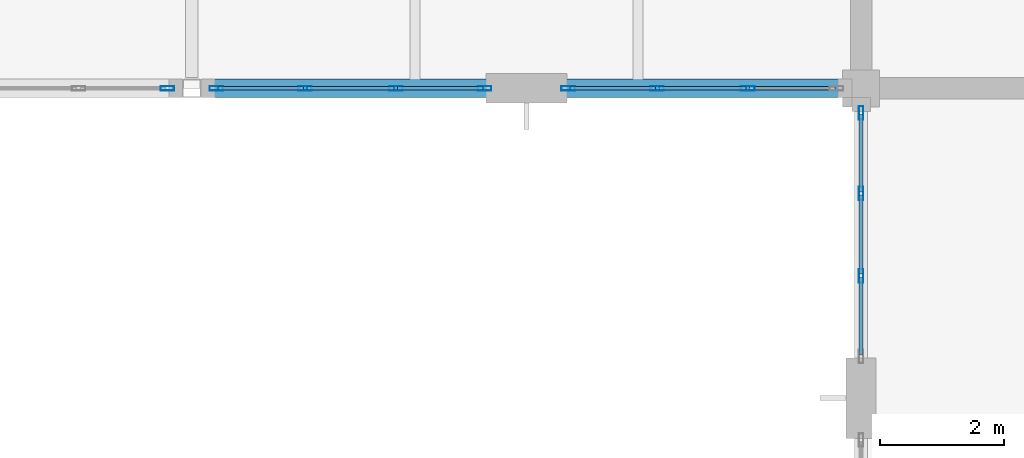
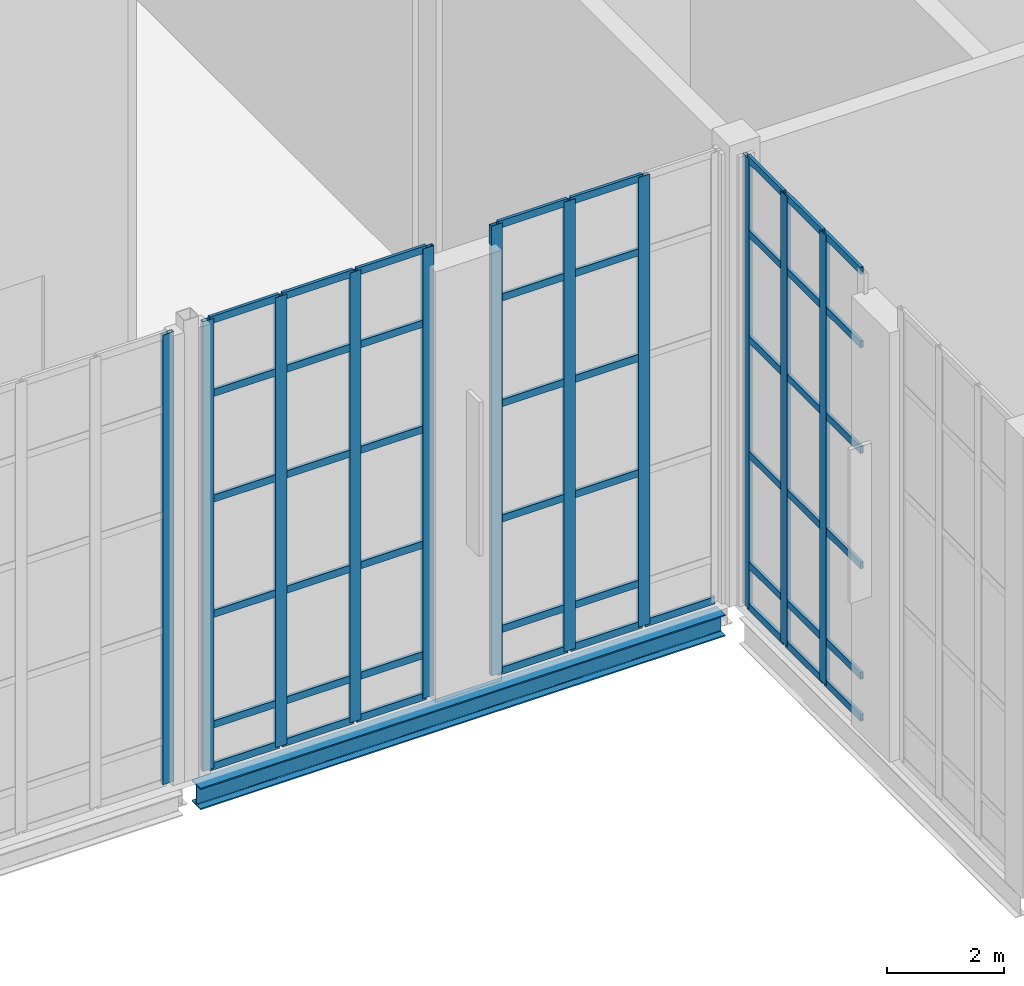
# One storey, part 37 of 100: 60 members, 1 beam, 4 elements without a shape of their own.
"""IFC4 building model written with IfcOpenShell, lengths in metres."""

from ifc_helpers import new_model, si_unit, direction, frame, origin, origin_2d, place, context, subcontext, project, spatial, hollow_rectangle, i_section, extrude, material, layer, layer_set, material_profile, profile_set, type_object, element, aggregate, save


model = new_model("IFC4")

# Units and contexts
model_context = context("Model", 3, precision=1e-05, world=origin(), true_north=direction((0.0, 1.0)))
body_context = subcontext(model_context, "Body", "Model", "MODEL_VIEW")
ifc_project = project(units=[si_unit("LENGTHUNIT", "METRE"), si_unit("AREAUNIT", "SQUARE_METRE"), si_unit("VOLUMEUNIT", "CUBIC_METRE"), si_unit("PLANEANGLEUNIT", "RADIAN"), si_unit("MASSUNIT", "GRAM", prefix="KILO")], contexts=[model_context])

# Site, building, storey
site_placement = place(None, origin())
site = spatial("IfcSite", under=ifc_project, at=site_placement, CompositionType="ELEMENT")
building_placement = place(site_placement, origin())
building = spatial("IfcBuilding", under=site, at=building_placement, Name="Tasgan Crest Museum", CompositionType="ELEMENT")
storey_placement = place(building_placement, frame((0.0, 0.0, 14.39990234375)))
storey = spatial("IfcBuildingStorey", under=building, at=storey_placement, Name="L03", CompositionType="ELEMENT", Elevation=14.39990234375)

# Beam
ifc_material_1 = material(Name="Steel S355J2", Category="steel")
ifc_material_profile_1 = material_profile(ifc_material_1, i_section(OverallWidth=0.300048828125, OverallDepth=0.449951171875, WebThickness=0.013916015625, FlangeThickness=0.02587890625, FilletRadius=0.027099609375, at=origin_2d()), Name="HEB 450")
ifc_profile_set_1 = profile_set([ifc_material_profile_1], Name="Steel S355J2")
beam_type = type_object("IfcBeamType", Name="BM-G-HEB450", PredefinedType="BEAM", material=ifc_profile_set_1)
beam_placement = place(storey_placement, frame((97.373779296875, 40.0, -0.46484375), z_axis=(1.0, 0.0, 0.0), x_axis=(0.0, 1.0, 0.0)))
element("IfcBeam", 1, at=beam_placement, inside=storey, type_object=beam_type, Name="Girder L03 E 97.2-108.0", PredefinedType="BEAM", context=body_context, shape_type="SweptSolid", body=[
    extrude(i_section(OverallWidth=0.300048828125, OverallDepth=0.449951171875, WebThickness=0.013916015625, FlangeThickness=0.02587890625, FilletRadius=0.027099609375, at=origin_2d()), origin(), (0.0, 0.0, 1.0), 10.330322265625),
])

# Curtain wall, members
ifc_material_2 = material(Name="Triple-Glazed Aluminium Curtain Wall", Category="aluminium")
ifc_layer_1 = layer(ifc_material_2, 0.179931640625, Name="CW-GAL-Y-96")
ifc_layer_set_1 = layer_set([ifc_layer_1], Name="Triple-Glazed Aluminium Curtain Wall")
curtain_wall_type_1 = type_object("IfcCurtainWallType", Name="CW-GAL-Y-96", PredefinedType="NOTDEFINED", material=ifc_layer_set_1)
curtain_wall_1_placement = place(storey_placement, origin())
curtain_wall_1 = element("IfcCurtainWall", 2, at=curtain_wall_1_placement, inside=storey, type_object=curtain_wall_type_1, Name="Curtain wall L03 111", PredefinedType="NOTDEFINED")
ifc_material_3 = material(Name="Anodised Aluminium", Category="aluminium")
ifc_material_profile_2 = material_profile(ifc_material_3, hollow_rectangle(XDim=0.074951171875, YDim=0.219970703125, WallThickness=0.006103515625, at=origin_2d()), Name="ALU MULLION 220x75x6")
ifc_profile_set_2 = profile_set([ifc_material_profile_2], Name="Anodised Aluminium")
member_type_1 = type_object("IfcMemberType", Name="CW-MULLION-220", PredefinedType="MULLION", material=ifc_profile_set_2)
member_1_placement = place(storey_placement, frame((108.0, 39.60498046875, 0.0), z_axis=(0.0, 0.0, 1.0), x_axis=(1.0, 0.0, 0.0)))
member_1 = element("IfcMember", 3, at=member_1_placement, type_object=member_type_1, Name="CW17 mullion 1", PredefinedType="MULLION", context=body_context, shape_type="SweptSolid", body=[
    extrude(hollow_rectangle(XDim=0.074951171875, YDim=0.219970703125, WallThickness=0.006103515625, at=origin_2d()), origin(), (0.0, 0.0, 1.0), 9.360107421875),
])
member_2_placement = place(storey_placement, frame((108.0, 38.304931640625, 0.0), z_axis=(0.0, 0.0, 1.0), x_axis=(1.0, 0.0, 0.0)))
member_2 = element("IfcMember", 4, at=member_2_placement, type_object=member_type_1, Name="CW17 mullion 2", PredefinedType="MULLION", context=body_context, shape_type="SweptSolid", body=[
    extrude(hollow_rectangle(XDim=0.074951171875, YDim=0.219970703125, WallThickness=0.006103515625, at=origin_2d()), origin(), (0.0, 0.0, 1.0), 9.360107421875),
])
member_3_placement = place(storey_placement, frame((108.0, 36.97509765625, 0.0), z_axis=(0.0, 0.0, 1.0), x_axis=(1.0, 0.0, 0.0)))
member_3 = element("IfcMember", 5, at=member_3_placement, type_object=member_type_1, Name="CW17 mullion 3", PredefinedType="MULLION", context=body_context, shape_type="SweptSolid", body=[
    extrude(hollow_rectangle(XDim=0.074951171875, YDim=0.219970703125, WallThickness=0.006103515625, at=origin_2d()), origin(), (0.0, 0.0, 1.0), 9.360107421875),
])

# Curtain wall, member
ifc_material_4 = material(Name="Triple-Glazed Aluminium Curtain Wall", Category="aluminium")
ifc_layer_2 = layer(ifc_material_4, 0.179931640625, Name="CW-DRUM-X-96")
ifc_layer_set_2 = layer_set([ifc_layer_2], Name="Triple-Glazed Aluminium Curtain Wall")
curtain_wall_type_2 = type_object("IfcCurtainWallType", Name="CW-DRUM-X-96", PredefinedType="NOTDEFINED", material=ifc_layer_set_2)
curtain_wall_2_placement = place(storey_placement, origin())
curtain_wall_2 = element("IfcCurtainWall", 6, at=curtain_wall_2_placement, inside=storey, type_object=curtain_wall_type_2, Name="Curtain wall L03 152", PredefinedType="NOTDEFINED")
member_4_placement = place(storey_placement, frame((96.804931640625, 40.0, 0.0), z_axis=(0.0, 0.0, 1.0), x_axis=(0.0, 1.0, 0.0)))
member_4 = element("IfcMember", 7, at=member_4_placement, type_object=member_type_1, Name="CW06 mullion 4", PredefinedType="MULLION", context=body_context, shape_type="SweptSolid", body=[
    extrude(hollow_rectangle(XDim=0.074951171875, YDim=0.219970703125, WallThickness=0.006103515625, at=origin_2d()), origin(), (0.0, 0.0, 1.0), 9.360107421875),
])
aggregate(curtain_wall_2, [member_4])

# Curtain wall, members
curtain_wall_3_placement = place(storey_placement, origin())
curtain_wall_3 = element("IfcCurtainWall", 8, at=curtain_wall_3_placement, inside=storey, type_object=curtain_wall_type_2, Name="Curtain wall L03 153", PredefinedType="NOTDEFINED")
member_5_placement = place(storey_placement, frame((97.594970703125, 40.0, 0.0), z_axis=(0.0, 0.0, 1.0), x_axis=(0.0, 1.0, 0.0)))
member_5 = element("IfcMember", 9, at=member_5_placement, type_object=member_type_1, Name="CW06 mullion 1", PredefinedType="MULLION", context=body_context, shape_type="SweptSolid", body=[
    extrude(hollow_rectangle(XDim=0.074951171875, YDim=0.219970703125, WallThickness=0.006103515625, at=origin_2d()), origin(), (0.0, 0.0, 1.0), 9.360107421875),
])
member_6_placement = place(storey_placement, frame((99.0283203125, 40.0, 0.0), z_axis=(0.0, 0.0, 1.0), x_axis=(0.0, 1.0, 0.0)))
member_6 = element("IfcMember", 10, at=member_6_placement, type_object=member_type_1, Name="CW06 mullion 2", PredefinedType="MULLION", context=body_context, shape_type="SweptSolid", body=[
    extrude(hollow_rectangle(XDim=0.074951171875, YDim=0.219970703125, WallThickness=0.006103515625, at=origin_2d()), origin(), (0.0, 0.0, 1.0), 9.360107421875),
])
member_7_placement = place(storey_placement, frame((100.49169921875, 40.0, 0.0), z_axis=(0.0, 0.0, 1.0), x_axis=(0.0, 1.0, 0.0)))
member_7 = element("IfcMember", 11, at=member_7_placement, type_object=member_type_1, Name="CW06 mullion 3", PredefinedType="MULLION", context=body_context, shape_type="SweptSolid", body=[
    extrude(hollow_rectangle(XDim=0.074951171875, YDim=0.219970703125, WallThickness=0.006103515625, at=origin_2d()), origin(), (0.0, 0.0, 1.0), 9.360107421875),
])
member_8_placement = place(storey_placement, frame((101.925048828125, 40.0, 0.0), z_axis=(0.0, 0.0, 1.0), x_axis=(0.0, 1.0, 0.0)))
member_8 = element("IfcMember", 12, at=member_8_placement, type_object=member_type_1, Name="CW06 mullion 4", PredefinedType="MULLION", context=body_context, shape_type="SweptSolid", body=[
    extrude(hollow_rectangle(XDim=0.074951171875, YDim=0.219970703125, WallThickness=0.006103515625, at=origin_2d()), origin(), (0.0, 0.0, 1.0), 9.360107421875),
])

curtain_wall_4_placement = place(storey_placement, origin())
curtain_wall_4 = element("IfcCurtainWall", 13, at=curtain_wall_4_placement, inside=storey, type_object=curtain_wall_type_2, Name="Curtain wall L03 154", PredefinedType="NOTDEFINED")
member_9_placement = place(storey_placement, frame((103.27490234375, 40.0, 0.0), z_axis=(0.0, 0.0, 1.0), x_axis=(0.0, 1.0, 0.0)))
member_9 = element("IfcMember", 14, at=member_9_placement, type_object=member_type_1, Name="CW06 mullion 1", PredefinedType="MULLION", context=body_context, shape_type="SweptSolid", body=[
    extrude(hollow_rectangle(XDim=0.074951171875, YDim=0.219970703125, WallThickness=0.006103515625, at=origin_2d()), origin(), (0.0, 0.0, 1.0), 9.360107421875),
])
member_10_placement = place(storey_placement, frame((104.708251953125, 40.0, 0.0), z_axis=(0.0, 0.0, 1.0), x_axis=(0.0, 1.0, 0.0)))
member_10 = element("IfcMember", 15, at=member_10_placement, type_object=member_type_1, Name="CW06 mullion 2", PredefinedType="MULLION", context=body_context, shape_type="SweptSolid", body=[
    extrude(hollow_rectangle(XDim=0.074951171875, YDim=0.219970703125, WallThickness=0.006103515625, at=origin_2d()), origin(), (0.0, 0.0, 1.0), 9.360107421875),
])
member_11_placement = place(storey_placement, frame((106.171630859375, 40.0, 0.0), z_axis=(0.0, 0.0, 1.0), x_axis=(0.0, 1.0, 0.0)))
member_11 = element("IfcMember", 16, at=member_11_placement, type_object=member_type_1, Name="CW06 mullion 3", PredefinedType="MULLION", context=body_context, shape_type="SweptSolid", body=[
    extrude(hollow_rectangle(XDim=0.074951171875, YDim=0.219970703125, WallThickness=0.006103515625, at=origin_2d()), origin(), (0.0, 0.0, 1.0), 9.360107421875),
])

# Member
ifc_material_5 = material(Name="Anodised Aluminium", Category="aluminium")
ifc_material_profile_3 = material_profile(ifc_material_5, hollow_rectangle(XDim=0.06005859375, YDim=0.14990234375, WallThickness=0.0048828125, at=origin_2d()), Name="ALU TRANSOM 150x60x5")
ifc_profile_set_3 = profile_set([ifc_material_profile_3], Name="Anodised Aluminium")
member_type_2 = type_object("IfcMemberType", Name="CW-TRANSOM-150", PredefinedType="USERDEFINED", material=ifc_profile_set_3)
member_12_placement = place(storey_placement, frame((108.0, 39.574951171875, 0.030029296875), z_axis=(0.0, -1.0, 0.0), x_axis=(1.0, 0.0, 0.0)))
member_12 = element("IfcMember", 17, at=member_12_placement, type_object=member_type_2, Name="CW17 transom 1.1", ObjectType="TRANSOM", PredefinedType="USERDEFINED", context=body_context, shape_type="SweptSolid", body=[
    extrude(hollow_rectangle(XDim=0.06005859375, YDim=0.14990234375, WallThickness=0.0048828125, at=origin_2d()), origin(), (0.0, 0.0, 1.0), 1.239990234375),
])

member_13_placement = place(storey_placement, frame((108.0, 39.574951171875, 0.900146484375), z_axis=(0.0, -1.0, 0.0), x_axis=(1.0, 0.0, 0.0)))
member_13 = element("IfcMember", 18, at=member_13_placement, type_object=member_type_2, Name="CW17 transom 1.2", ObjectType="TRANSOM", PredefinedType="USERDEFINED", context=body_context, shape_type="SweptSolid", body=[
    extrude(hollow_rectangle(XDim=0.06005859375, YDim=0.14990234375, WallThickness=0.0048828125, at=origin_2d()), origin(), (0.0, 0.0, 1.0), 1.239990234375),
])

member_14_placement = place(storey_placement, frame((108.0, 39.574951171875, 3.2001953125), z_axis=(0.0, -1.0, 0.0), x_axis=(1.0, 0.0, 0.0)))
member_14 = element("IfcMember", 19, at=member_14_placement, type_object=member_type_2, Name="CW17 transom 1.3", ObjectType="TRANSOM", PredefinedType="USERDEFINED", context=body_context, shape_type="SweptSolid", body=[
    extrude(hollow_rectangle(XDim=0.06005859375, YDim=0.14990234375, WallThickness=0.0048828125, at=origin_2d()), origin(), (0.0, 0.0, 1.0), 1.239990234375),
])

member_15_placement = place(storey_placement, frame((108.0, 39.574951171875, 5.60009765625), z_axis=(0.0, -1.0, 0.0), x_axis=(1.0, 0.0, 0.0)))
member_15 = element("IfcMember", 20, at=member_15_placement, type_object=member_type_2, Name="CW17 transom 1.4", ObjectType="TRANSOM", PredefinedType="USERDEFINED", context=body_context, shape_type="SweptSolid", body=[
    extrude(hollow_rectangle(XDim=0.06005859375, YDim=0.14990234375, WallThickness=0.0048828125, at=origin_2d()), origin(), (0.0, 0.0, 1.0), 1.239990234375),
])

member_16_placement = place(storey_placement, frame((108.0, 39.574951171875, 7.800048828125), z_axis=(0.0, -1.0, 0.0), x_axis=(1.0, 0.0, 0.0)))
member_16 = element("IfcMember", 21, at=member_16_placement, type_object=member_type_2, Name="CW17 transom 1.5", ObjectType="TRANSOM", PredefinedType="USERDEFINED", context=body_context, shape_type="SweptSolid", body=[
    extrude(hollow_rectangle(XDim=0.06005859375, YDim=0.14990234375, WallThickness=0.0048828125, at=origin_2d()), origin(), (0.0, 0.0, 1.0), 1.239990234375),
])

member_17_placement = place(storey_placement, frame((108.0, 39.574951171875, 9.330078125), z_axis=(0.0, -1.0, 0.0), x_axis=(1.0, 0.0, 0.0)))
member_17 = element("IfcMember", 22, at=member_17_placement, type_object=member_type_2, Name="CW17 transom 1.6", ObjectType="TRANSOM", PredefinedType="USERDEFINED", context=body_context, shape_type="SweptSolid", body=[
    extrude(hollow_rectangle(XDim=0.06005859375, YDim=0.14990234375, WallThickness=0.0048828125, at=origin_2d()), origin(), (0.0, 0.0, 1.0), 1.239990234375),
])

member_18_placement = place(storey_placement, frame((108.0, 38.27490234375, 0.030029296875), z_axis=(0.0, -1.0, 0.0), x_axis=(1.0, 0.0, 0.0)))
member_18 = element("IfcMember", 23, at=member_18_placement, type_object=member_type_2, Name="CW17 transom 2.1", ObjectType="TRANSOM", PredefinedType="USERDEFINED", context=body_context, shape_type="SweptSolid", body=[
    extrude(hollow_rectangle(XDim=0.06005859375, YDim=0.14990234375, WallThickness=0.0048828125, at=origin_2d()), origin(), (0.0, 0.0, 1.0), 1.27001953125),
])

member_19_placement = place(storey_placement, frame((108.0, 38.27490234375, 0.900146484375), z_axis=(0.0, -1.0, 0.0), x_axis=(1.0, 0.0, 0.0)))
member_19 = element("IfcMember", 24, at=member_19_placement, type_object=member_type_2, Name="CW17 transom 2.2", ObjectType="TRANSOM", PredefinedType="USERDEFINED", context=body_context, shape_type="SweptSolid", body=[
    extrude(hollow_rectangle(XDim=0.06005859375, YDim=0.14990234375, WallThickness=0.0048828125, at=origin_2d()), origin(), (0.0, 0.0, 1.0), 1.27001953125),
])

member_20_placement = place(storey_placement, frame((108.0, 38.27490234375, 3.2001953125), z_axis=(0.0, -1.0, 0.0), x_axis=(1.0, 0.0, 0.0)))
member_20 = element("IfcMember", 25, at=member_20_placement, type_object=member_type_2, Name="CW17 transom 2.3", ObjectType="TRANSOM", PredefinedType="USERDEFINED", context=body_context, shape_type="SweptSolid", body=[
    extrude(hollow_rectangle(XDim=0.06005859375, YDim=0.14990234375, WallThickness=0.0048828125, at=origin_2d()), origin(), (0.0, 0.0, 1.0), 1.27001953125),
])

member_21_placement = place(storey_placement, frame((108.0, 38.27490234375, 5.60009765625), z_axis=(0.0, -1.0, 0.0), x_axis=(1.0, 0.0, 0.0)))
member_21 = element("IfcMember", 26, at=member_21_placement, type_object=member_type_2, Name="CW17 transom 2.4", ObjectType="TRANSOM", PredefinedType="USERDEFINED", context=body_context, shape_type="SweptSolid", body=[
    extrude(hollow_rectangle(XDim=0.06005859375, YDim=0.14990234375, WallThickness=0.0048828125, at=origin_2d()), origin(), (0.0, 0.0, 1.0), 1.27001953125),
])

member_22_placement = place(storey_placement, frame((108.0, 38.27490234375, 7.800048828125), z_axis=(0.0, -1.0, 0.0), x_axis=(1.0, 0.0, 0.0)))
member_22 = element("IfcMember", 27, at=member_22_placement, type_object=member_type_2, Name="CW17 transom 2.5", ObjectType="TRANSOM", PredefinedType="USERDEFINED", context=body_context, shape_type="SweptSolid", body=[
    extrude(hollow_rectangle(XDim=0.06005859375, YDim=0.14990234375, WallThickness=0.0048828125, at=origin_2d()), origin(), (0.0, 0.0, 1.0), 1.27001953125),
])

member_23_placement = place(storey_placement, frame((108.0, 38.27490234375, 9.330078125), z_axis=(0.0, -1.0, 0.0), x_axis=(1.0, 0.0, 0.0)))
member_23 = element("IfcMember", 28, at=member_23_placement, type_object=member_type_2, Name="CW17 transom 2.6", ObjectType="TRANSOM", PredefinedType="USERDEFINED", context=body_context, shape_type="SweptSolid", body=[
    extrude(hollow_rectangle(XDim=0.06005859375, YDim=0.14990234375, WallThickness=0.0048828125, at=origin_2d()), origin(), (0.0, 0.0, 1.0), 1.27001953125),
])

member_24_placement = place(storey_placement, frame((108.0, 36.945068359375, 0.030029296875), z_axis=(0.0, -1.0, 0.0), x_axis=(1.0, 0.0, 0.0)))
member_24 = element("IfcMember", 29, at=member_24_placement, type_object=member_type_2, Name="CW17 transom 3.1", ObjectType="TRANSOM", PredefinedType="USERDEFINED", context=body_context, shape_type="SweptSolid", body=[
    extrude(hollow_rectangle(XDim=0.06005859375, YDim=0.14990234375, WallThickness=0.0048828125, at=origin_2d()), origin(), (0.0, 0.0, 1.0), 1.239990234375),
])

member_25_placement = place(storey_placement, frame((108.0, 36.945068359375, 0.900146484375), z_axis=(0.0, -1.0, 0.0), x_axis=(1.0, 0.0, 0.0)))
member_25 = element("IfcMember", 30, at=member_25_placement, type_object=member_type_2, Name="CW17 transom 3.2", ObjectType="TRANSOM", PredefinedType="USERDEFINED", context=body_context, shape_type="SweptSolid", body=[
    extrude(hollow_rectangle(XDim=0.06005859375, YDim=0.14990234375, WallThickness=0.0048828125, at=origin_2d()), origin(), (0.0, 0.0, 1.0), 1.239990234375),
])

member_26_placement = place(storey_placement, frame((108.0, 36.945068359375, 3.2001953125), z_axis=(0.0, -1.0, 0.0), x_axis=(1.0, 0.0, 0.0)))
member_26 = element("IfcMember", 31, at=member_26_placement, type_object=member_type_2, Name="CW17 transom 3.3", ObjectType="TRANSOM", PredefinedType="USERDEFINED", context=body_context, shape_type="SweptSolid", body=[
    extrude(hollow_rectangle(XDim=0.06005859375, YDim=0.14990234375, WallThickness=0.0048828125, at=origin_2d()), origin(), (0.0, 0.0, 1.0), 1.239990234375),
])

member_27_placement = place(storey_placement, frame((108.0, 36.945068359375, 5.60009765625), z_axis=(0.0, -1.0, 0.0), x_axis=(1.0, 0.0, 0.0)))
member_27 = element("IfcMember", 32, at=member_27_placement, type_object=member_type_2, Name="CW17 transom 3.4", ObjectType="TRANSOM", PredefinedType="USERDEFINED", context=body_context, shape_type="SweptSolid", body=[
    extrude(hollow_rectangle(XDim=0.06005859375, YDim=0.14990234375, WallThickness=0.0048828125, at=origin_2d()), origin(), (0.0, 0.0, 1.0), 1.239990234375),
])

member_28_placement = place(storey_placement, frame((108.0, 36.945068359375, 7.800048828125), z_axis=(0.0, -1.0, 0.0), x_axis=(1.0, 0.0, 0.0)))
member_28 = element("IfcMember", 33, at=member_28_placement, type_object=member_type_2, Name="CW17 transom 3.5", ObjectType="TRANSOM", PredefinedType="USERDEFINED", context=body_context, shape_type="SweptSolid", body=[
    extrude(hollow_rectangle(XDim=0.06005859375, YDim=0.14990234375, WallThickness=0.0048828125, at=origin_2d()), origin(), (0.0, 0.0, 1.0), 1.239990234375),
])

member_29_placement = place(storey_placement, frame((108.0, 36.945068359375, 9.330078125), z_axis=(0.0, -1.0, 0.0), x_axis=(1.0, 0.0, 0.0)))
member_29 = element("IfcMember", 34, at=member_29_placement, type_object=member_type_2, Name="CW17 transom 3.6", ObjectType="TRANSOM", PredefinedType="USERDEFINED", context=body_context, shape_type="SweptSolid", body=[
    extrude(hollow_rectangle(XDim=0.06005859375, YDim=0.14990234375, WallThickness=0.0048828125, at=origin_2d()), origin(), (0.0, 0.0, 1.0), 1.239990234375),
])

aggregate(curtain_wall_1, [member_1, member_2, member_3, member_12, member_13, member_14, member_15, member_16, member_17, member_18, member_19, member_20, member_21, member_22, member_23, member_24, member_25, member_26, member_27, member_28, member_29])

member_30_placement = place(storey_placement, frame((97.625, 40.0, 0.030029296875), z_axis=(1.0, 0.0, 0.0), x_axis=(0.0, 1.0, 0.0)))
member_30 = element("IfcMember", 35, at=member_30_placement, type_object=member_type_2, Name="CW06 transom 1.1", ObjectType="TRANSOM", PredefinedType="USERDEFINED", context=body_context, shape_type="SweptSolid", body=[
    extrude(hollow_rectangle(XDim=0.06005859375, YDim=0.14990234375, WallThickness=0.0048828125, at=origin_2d()), origin(), (0.0, 0.0, 1.0), 1.373291015625),
])

member_31_placement = place(storey_placement, frame((97.625, 40.0, 0.900146484375), z_axis=(1.0, 0.0, 0.0), x_axis=(0.0, 1.0, 0.0)))
member_31 = element("IfcMember", 36, at=member_31_placement, type_object=member_type_2, Name="CW06 transom 1.2", ObjectType="TRANSOM", PredefinedType="USERDEFINED", context=body_context, shape_type="SweptSolid", body=[
    extrude(hollow_rectangle(XDim=0.06005859375, YDim=0.14990234375, WallThickness=0.0048828125, at=origin_2d()), origin(), (0.0, 0.0, 1.0), 1.373291015625),
])

member_32_placement = place(storey_placement, frame((97.625, 40.0, 3.2001953125), z_axis=(1.0, 0.0, 0.0), x_axis=(0.0, 1.0, 0.0)))
member_32 = element("IfcMember", 37, at=member_32_placement, type_object=member_type_2, Name="CW06 transom 1.3", ObjectType="TRANSOM", PredefinedType="USERDEFINED", context=body_context, shape_type="SweptSolid", body=[
    extrude(hollow_rectangle(XDim=0.06005859375, YDim=0.14990234375, WallThickness=0.0048828125, at=origin_2d()), origin(), (0.0, 0.0, 1.0), 1.373291015625),
])

member_33_placement = place(storey_placement, frame((97.625, 40.0, 5.60009765625), z_axis=(1.0, 0.0, 0.0), x_axis=(0.0, 1.0, 0.0)))
member_33 = element("IfcMember", 38, at=member_33_placement, type_object=member_type_2, Name="CW06 transom 1.4", ObjectType="TRANSOM", PredefinedType="USERDEFINED", context=body_context, shape_type="SweptSolid", body=[
    extrude(hollow_rectangle(XDim=0.06005859375, YDim=0.14990234375, WallThickness=0.0048828125, at=origin_2d()), origin(), (0.0, 0.0, 1.0), 1.373291015625),
])

member_34_placement = place(storey_placement, frame((97.625, 40.0, 7.800048828125), z_axis=(1.0, 0.0, 0.0), x_axis=(0.0, 1.0, 0.0)))
member_34 = element("IfcMember", 39, at=member_34_placement, type_object=member_type_2, Name="CW06 transom 1.5", ObjectType="TRANSOM", PredefinedType="USERDEFINED", context=body_context, shape_type="SweptSolid", body=[
    extrude(hollow_rectangle(XDim=0.06005859375, YDim=0.14990234375, WallThickness=0.0048828125, at=origin_2d()), origin(), (0.0, 0.0, 1.0), 1.373291015625),
])

member_35_placement = place(storey_placement, frame((97.625, 40.0, 9.330078125), z_axis=(1.0, 0.0, 0.0), x_axis=(0.0, 1.0, 0.0)))
member_35 = element("IfcMember", 40, at=member_35_placement, type_object=member_type_2, Name="CW06 transom 1.6", ObjectType="TRANSOM", PredefinedType="USERDEFINED", context=body_context, shape_type="SweptSolid", body=[
    extrude(hollow_rectangle(XDim=0.06005859375, YDim=0.14990234375, WallThickness=0.0048828125, at=origin_2d()), origin(), (0.0, 0.0, 1.0), 1.373291015625),
])

member_36_placement = place(storey_placement, frame((99.058349609375, 40.0, 0.030029296875), z_axis=(1.0, 0.0, 0.0), x_axis=(0.0, 1.0, 0.0)))
member_36 = element("IfcMember", 41, at=member_36_placement, type_object=member_type_2, Name="CW06 transom 2.1", ObjectType="TRANSOM", PredefinedType="USERDEFINED", context=body_context, shape_type="SweptSolid", body=[
    extrude(hollow_rectangle(XDim=0.06005859375, YDim=0.14990234375, WallThickness=0.0048828125, at=origin_2d()), origin(), (0.0, 0.0, 1.0), 1.4033203125),
])

member_37_placement = place(storey_placement, frame((99.058349609375, 40.0, 0.900146484375), z_axis=(1.0, 0.0, 0.0), x_axis=(0.0, 1.0, 0.0)))
member_37 = element("IfcMember", 42, at=member_37_placement, type_object=member_type_2, Name="CW06 transom 2.2", ObjectType="TRANSOM", PredefinedType="USERDEFINED", context=body_context, shape_type="SweptSolid", body=[
    extrude(hollow_rectangle(XDim=0.06005859375, YDim=0.14990234375, WallThickness=0.0048828125, at=origin_2d()), origin(), (0.0, 0.0, 1.0), 1.4033203125),
])

member_38_placement = place(storey_placement, frame((99.058349609375, 40.0, 3.2001953125), z_axis=(1.0, 0.0, 0.0), x_axis=(0.0, 1.0, 0.0)))
member_38 = element("IfcMember", 43, at=member_38_placement, type_object=member_type_2, Name="CW06 transom 2.3", ObjectType="TRANSOM", PredefinedType="USERDEFINED", context=body_context, shape_type="SweptSolid", body=[
    extrude(hollow_rectangle(XDim=0.06005859375, YDim=0.14990234375, WallThickness=0.0048828125, at=origin_2d()), origin(), (0.0, 0.0, 1.0), 1.4033203125),
])

member_39_placement = place(storey_placement, frame((99.058349609375, 40.0, 5.60009765625), z_axis=(1.0, 0.0, 0.0), x_axis=(0.0, 1.0, 0.0)))
member_39 = element("IfcMember", 44, at=member_39_placement, type_object=member_type_2, Name="CW06 transom 2.4", ObjectType="TRANSOM", PredefinedType="USERDEFINED", context=body_context, shape_type="SweptSolid", body=[
    extrude(hollow_rectangle(XDim=0.06005859375, YDim=0.14990234375, WallThickness=0.0048828125, at=origin_2d()), origin(), (0.0, 0.0, 1.0), 1.4033203125),
])

member_40_placement = place(storey_placement, frame((99.058349609375, 40.0, 7.800048828125), z_axis=(1.0, 0.0, 0.0), x_axis=(0.0, 1.0, 0.0)))
member_40 = element("IfcMember", 45, at=member_40_placement, type_object=member_type_2, Name="CW06 transom 2.5", ObjectType="TRANSOM", PredefinedType="USERDEFINED", context=body_context, shape_type="SweptSolid", body=[
    extrude(hollow_rectangle(XDim=0.06005859375, YDim=0.14990234375, WallThickness=0.0048828125, at=origin_2d()), origin(), (0.0, 0.0, 1.0), 1.4033203125),
])

member_41_placement = place(storey_placement, frame((99.058349609375, 40.0, 9.330078125), z_axis=(1.0, 0.0, 0.0), x_axis=(0.0, 1.0, 0.0)))
member_41 = element("IfcMember", 46, at=member_41_placement, type_object=member_type_2, Name="CW06 transom 2.6", ObjectType="TRANSOM", PredefinedType="USERDEFINED", context=body_context, shape_type="SweptSolid", body=[
    extrude(hollow_rectangle(XDim=0.06005859375, YDim=0.14990234375, WallThickness=0.0048828125, at=origin_2d()), origin(), (0.0, 0.0, 1.0), 1.4033203125),
])

member_42_placement = place(storey_placement, frame((100.521728515625, 40.0, 0.030029296875), z_axis=(1.0, 0.0, 0.0), x_axis=(0.0, 1.0, 0.0)))
member_42 = element("IfcMember", 47, at=member_42_placement, type_object=member_type_2, Name="CW06 transom 3.1", ObjectType="TRANSOM", PredefinedType="USERDEFINED", context=body_context, shape_type="SweptSolid", body=[
    extrude(hollow_rectangle(XDim=0.06005859375, YDim=0.14990234375, WallThickness=0.0048828125, at=origin_2d()), origin(), (0.0, 0.0, 1.0), 1.373291015625),
])

member_43_placement = place(storey_placement, frame((100.521728515625, 40.0, 0.900146484375), z_axis=(1.0, 0.0, 0.0), x_axis=(0.0, 1.0, 0.0)))
member_43 = element("IfcMember", 48, at=member_43_placement, type_object=member_type_2, Name="CW06 transom 3.2", ObjectType="TRANSOM", PredefinedType="USERDEFINED", context=body_context, shape_type="SweptSolid", body=[
    extrude(hollow_rectangle(XDim=0.06005859375, YDim=0.14990234375, WallThickness=0.0048828125, at=origin_2d()), origin(), (0.0, 0.0, 1.0), 1.373291015625),
])

member_44_placement = place(storey_placement, frame((100.521728515625, 40.0, 3.2001953125), z_axis=(1.0, 0.0, 0.0), x_axis=(0.0, 1.0, 0.0)))
member_44 = element("IfcMember", 49, at=member_44_placement, type_object=member_type_2, Name="CW06 transom 3.3", ObjectType="TRANSOM", PredefinedType="USERDEFINED", context=body_context, shape_type="SweptSolid", body=[
    extrude(hollow_rectangle(XDim=0.06005859375, YDim=0.14990234375, WallThickness=0.0048828125, at=origin_2d()), origin(), (0.0, 0.0, 1.0), 1.373291015625),
])

member_45_placement = place(storey_placement, frame((100.521728515625, 40.0, 5.60009765625), z_axis=(1.0, 0.0, 0.0), x_axis=(0.0, 1.0, 0.0)))
member_45 = element("IfcMember", 50, at=member_45_placement, type_object=member_type_2, Name="CW06 transom 3.4", ObjectType="TRANSOM", PredefinedType="USERDEFINED", context=body_context, shape_type="SweptSolid", body=[
    extrude(hollow_rectangle(XDim=0.06005859375, YDim=0.14990234375, WallThickness=0.0048828125, at=origin_2d()), origin(), (0.0, 0.0, 1.0), 1.373291015625),
])

member_46_placement = place(storey_placement, frame((100.521728515625, 40.0, 7.800048828125), z_axis=(1.0, 0.0, 0.0), x_axis=(0.0, 1.0, 0.0)))
member_46 = element("IfcMember", 51, at=member_46_placement, type_object=member_type_2, Name="CW06 transom 3.5", ObjectType="TRANSOM", PredefinedType="USERDEFINED", context=body_context, shape_type="SweptSolid", body=[
    extrude(hollow_rectangle(XDim=0.06005859375, YDim=0.14990234375, WallThickness=0.0048828125, at=origin_2d()), origin(), (0.0, 0.0, 1.0), 1.373291015625),
])

member_47_placement = place(storey_placement, frame((100.521728515625, 40.0, 9.330078125), z_axis=(1.0, 0.0, 0.0), x_axis=(0.0, 1.0, 0.0)))
member_47 = element("IfcMember", 52, at=member_47_placement, type_object=member_type_2, Name="CW06 transom 3.6", ObjectType="TRANSOM", PredefinedType="USERDEFINED", context=body_context, shape_type="SweptSolid", body=[
    extrude(hollow_rectangle(XDim=0.06005859375, YDim=0.14990234375, WallThickness=0.0048828125, at=origin_2d()), origin(), (0.0, 0.0, 1.0), 1.373291015625),
])

aggregate(curtain_wall_3, [member_5, member_6, member_7, member_8, member_30, member_31, member_32, member_33, member_34, member_35, member_36, member_37, member_38, member_39, member_40, member_41, member_42, member_43, member_44, member_45, member_46, member_47])

member_48_placement = place(storey_placement, frame((103.304931640625, 40.0, 0.030029296875), z_axis=(1.0, 0.0, 0.0), x_axis=(0.0, 1.0, 0.0)))
member_48 = element("IfcMember", 53, at=member_48_placement, type_object=member_type_2, Name="CW06 transom 1.1", ObjectType="TRANSOM", PredefinedType="USERDEFINED", context=body_context, shape_type="SweptSolid", body=[
    extrude(hollow_rectangle(XDim=0.06005859375, YDim=0.14990234375, WallThickness=0.0048828125, at=origin_2d()), origin(), (0.0, 0.0, 1.0), 1.373291015625),
])

member_49_placement = place(storey_placement, frame((103.304931640625, 40.0, 0.900146484375), z_axis=(1.0, 0.0, 0.0), x_axis=(0.0, 1.0, 0.0)))
member_49 = element("IfcMember", 54, at=member_49_placement, type_object=member_type_2, Name="CW06 transom 1.2", ObjectType="TRANSOM", PredefinedType="USERDEFINED", context=body_context, shape_type="SweptSolid", body=[
    extrude(hollow_rectangle(XDim=0.06005859375, YDim=0.14990234375, WallThickness=0.0048828125, at=origin_2d()), origin(), (0.0, 0.0, 1.0), 1.373291015625),
])

member_50_placement = place(storey_placement, frame((103.304931640625, 40.0, 3.2001953125), z_axis=(1.0, 0.0, 0.0), x_axis=(0.0, 1.0, 0.0)))
member_50 = element("IfcMember", 55, at=member_50_placement, type_object=member_type_2, Name="CW06 transom 1.3", ObjectType="TRANSOM", PredefinedType="USERDEFINED", context=body_context, shape_type="SweptSolid", body=[
    extrude(hollow_rectangle(XDim=0.06005859375, YDim=0.14990234375, WallThickness=0.0048828125, at=origin_2d()), origin(), (0.0, 0.0, 1.0), 1.373291015625),
])

member_51_placement = place(storey_placement, frame((103.304931640625, 40.0, 5.60009765625), z_axis=(1.0, 0.0, 0.0), x_axis=(0.0, 1.0, 0.0)))
member_51 = element("IfcMember", 56, at=member_51_placement, type_object=member_type_2, Name="CW06 transom 1.4", ObjectType="TRANSOM", PredefinedType="USERDEFINED", context=body_context, shape_type="SweptSolid", body=[
    extrude(hollow_rectangle(XDim=0.06005859375, YDim=0.14990234375, WallThickness=0.0048828125, at=origin_2d()), origin(), (0.0, 0.0, 1.0), 1.373291015625),
])

member_52_placement = place(storey_placement, frame((103.304931640625, 40.0, 7.800048828125), z_axis=(1.0, 0.0, 0.0), x_axis=(0.0, 1.0, 0.0)))
member_52 = element("IfcMember", 57, at=member_52_placement, type_object=member_type_2, Name="CW06 transom 1.5", ObjectType="TRANSOM", PredefinedType="USERDEFINED", context=body_context, shape_type="SweptSolid", body=[
    extrude(hollow_rectangle(XDim=0.06005859375, YDim=0.14990234375, WallThickness=0.0048828125, at=origin_2d()), origin(), (0.0, 0.0, 1.0), 1.373291015625),
])

member_53_placement = place(storey_placement, frame((103.304931640625, 40.0, 9.330078125), z_axis=(1.0, 0.0, 0.0), x_axis=(0.0, 1.0, 0.0)))
member_53 = element("IfcMember", 58, at=member_53_placement, type_object=member_type_2, Name="CW06 transom 1.6", ObjectType="TRANSOM", PredefinedType="USERDEFINED", context=body_context, shape_type="SweptSolid", body=[
    extrude(hollow_rectangle(XDim=0.06005859375, YDim=0.14990234375, WallThickness=0.0048828125, at=origin_2d()), origin(), (0.0, 0.0, 1.0), 1.373291015625),
])

member_54_placement = place(storey_placement, frame((104.73828125, 40.0, 0.030029296875), z_axis=(1.0, 0.0, 0.0), x_axis=(0.0, 1.0, 0.0)))
member_54 = element("IfcMember", 59, at=member_54_placement, type_object=member_type_2, Name="CW06 transom 2.1", ObjectType="TRANSOM", PredefinedType="USERDEFINED", context=body_context, shape_type="SweptSolid", body=[
    extrude(hollow_rectangle(XDim=0.06005859375, YDim=0.14990234375, WallThickness=0.0048828125, at=origin_2d()), origin(), (0.0, 0.0, 1.0), 1.4033203125),
])

member_55_placement = place(storey_placement, frame((104.73828125, 40.0, 0.900146484375), z_axis=(1.0, 0.0, 0.0), x_axis=(0.0, 1.0, 0.0)))
member_55 = element("IfcMember", 60, at=member_55_placement, type_object=member_type_2, Name="CW06 transom 2.2", ObjectType="TRANSOM", PredefinedType="USERDEFINED", context=body_context, shape_type="SweptSolid", body=[
    extrude(hollow_rectangle(XDim=0.06005859375, YDim=0.14990234375, WallThickness=0.0048828125, at=origin_2d()), origin(), (0.0, 0.0, 1.0), 1.4033203125),
])

member_56_placement = place(storey_placement, frame((104.73828125, 40.0, 3.2001953125), z_axis=(1.0, 0.0, 0.0), x_axis=(0.0, 1.0, 0.0)))
member_56 = element("IfcMember", 61, at=member_56_placement, type_object=member_type_2, Name="CW06 transom 2.3", ObjectType="TRANSOM", PredefinedType="USERDEFINED", context=body_context, shape_type="SweptSolid", body=[
    extrude(hollow_rectangle(XDim=0.06005859375, YDim=0.14990234375, WallThickness=0.0048828125, at=origin_2d()), origin(), (0.0, 0.0, 1.0), 1.4033203125),
])

member_57_placement = place(storey_placement, frame((104.73828125, 40.0, 5.60009765625), z_axis=(1.0, 0.0, 0.0), x_axis=(0.0, 1.0, 0.0)))
member_57 = element("IfcMember", 62, at=member_57_placement, type_object=member_type_2, Name="CW06 transom 2.4", ObjectType="TRANSOM", PredefinedType="USERDEFINED", context=body_context, shape_type="SweptSolid", body=[
    extrude(hollow_rectangle(XDim=0.06005859375, YDim=0.14990234375, WallThickness=0.0048828125, at=origin_2d()), origin(), (0.0, 0.0, 1.0), 1.4033203125),
])

member_58_placement = place(storey_placement, frame((104.73828125, 40.0, 7.800048828125), z_axis=(1.0, 0.0, 0.0), x_axis=(0.0, 1.0, 0.0)))
member_58 = element("IfcMember", 63, at=member_58_placement, type_object=member_type_2, Name="CW06 transom 2.5", ObjectType="TRANSOM", PredefinedType="USERDEFINED", context=body_context, shape_type="SweptSolid", body=[
    extrude(hollow_rectangle(XDim=0.06005859375, YDim=0.14990234375, WallThickness=0.0048828125, at=origin_2d()), origin(), (0.0, 0.0, 1.0), 1.4033203125),
])

member_59_placement = place(storey_placement, frame((104.73828125, 40.0, 9.330078125), z_axis=(1.0, 0.0, 0.0), x_axis=(0.0, 1.0, 0.0)))
member_59 = element("IfcMember", 64, at=member_59_placement, type_object=member_type_2, Name="CW06 transom 2.6", ObjectType="TRANSOM", PredefinedType="USERDEFINED", context=body_context, shape_type="SweptSolid", body=[
    extrude(hollow_rectangle(XDim=0.06005859375, YDim=0.14990234375, WallThickness=0.0048828125, at=origin_2d()), origin(), (0.0, 0.0, 1.0), 1.4033203125),
])

member_60_placement = place(storey_placement, frame((106.20166015625, 40.0, 0.030029296875), z_axis=(1.0, 0.0, 0.0), x_axis=(0.0, 1.0, 0.0)))
member_60 = element("IfcMember", 65, at=member_60_placement, type_object=member_type_2, Name="CW06 transom 3.1", ObjectType="TRANSOM", PredefinedType="USERDEFINED", context=body_context, shape_type="SweptSolid", body=[
    extrude(hollow_rectangle(XDim=0.06005859375, YDim=0.14990234375, WallThickness=0.0048828125, at=origin_2d()), origin(), (0.0, 0.0, 1.0), 1.373291015625),
])

aggregate(curtain_wall_4, [member_9, member_10, member_11, member_48, member_49, member_50, member_51, member_52, member_53, member_54, member_55, member_56, member_57, member_58, member_59, member_60])

save(model, "model.ifc")
